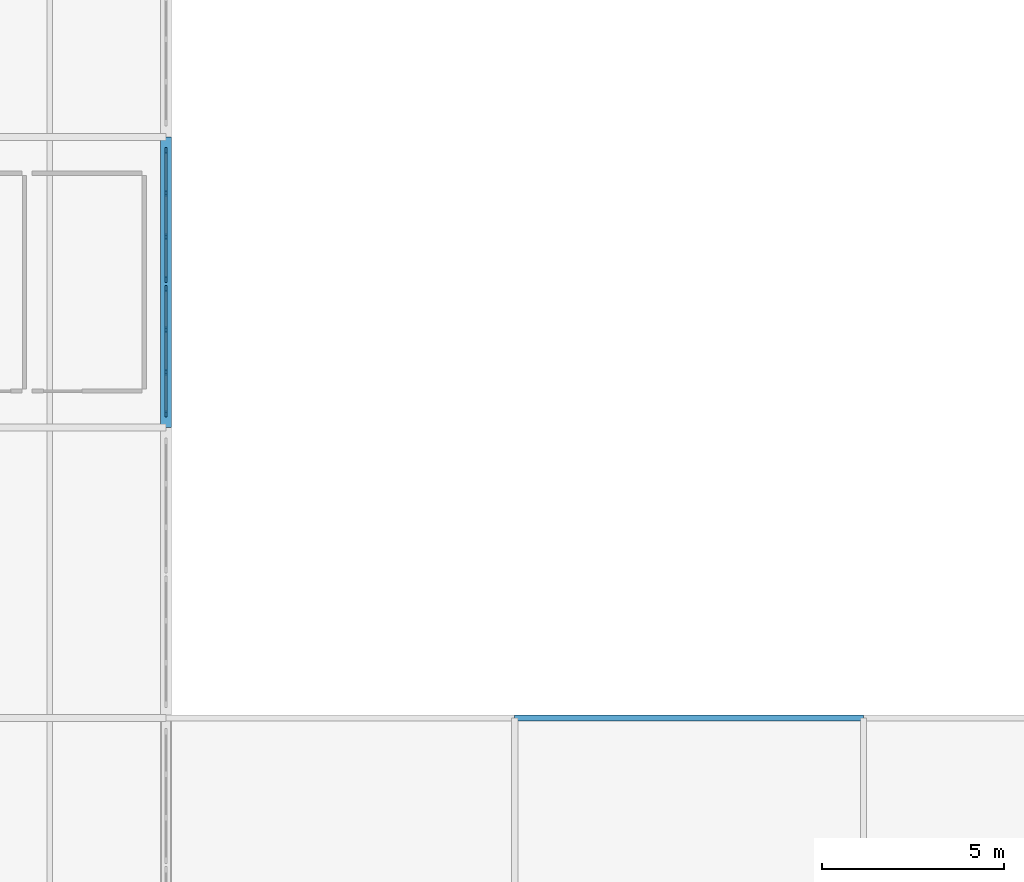
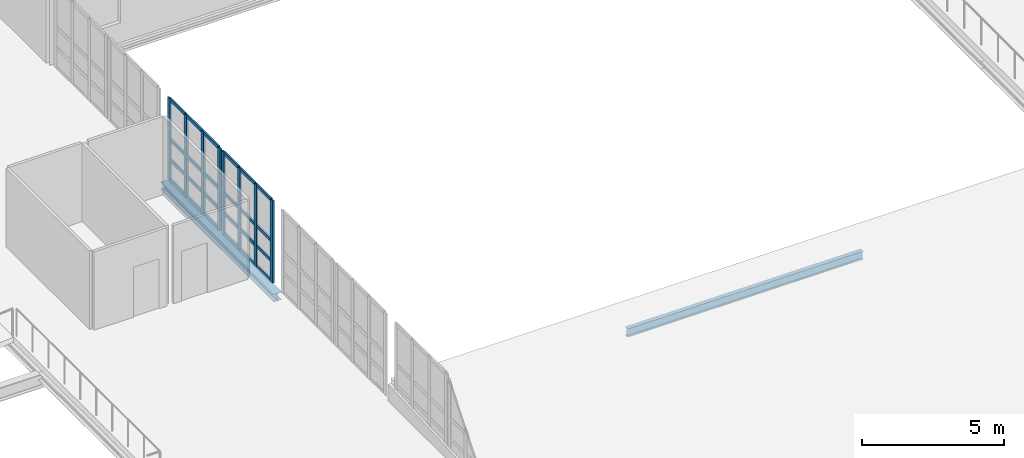
# One storey, part 31 of 73: 32 members, 2 beams, 2 elements without a shape of their own.
"""IFC4 building model written with IfcOpenShell, lengths in metres."""

import ifcopenshell
import ifcopenshell.guid

model = None  # the IFC model being written
_history = None  # IfcOwnerHistory: only IFC2X3 demands one
_inside = {}  # id of a spatial element -> (the spatial element, [elements in it])
_under = {}  # id of a project, library or spatial element -> (it, [spatial elements below it])
_declared = {}  # id of a project -> (the project, [libraries it declares])
_typed = {}  # id of a type object -> (the type object, [elements of that type])
_made_of = {}  # id of a material, layer set ... -> (it, [elements and type objects made of it])


def new_model(schema):
    """Start an empty IFC model of exactly this schema.

    Asked for "IFC4X3", IfcOpenShell would pick the latest addendum, in which some entities
    have other attributes; the version numbers below select the first issue.
    IFC2X3 requires an IfcOwnerHistory on every rooted entity: one is made here for all.
    """
    global model, _history
    if schema == "IFC4X3":
        model = ifcopenshell.file(schema_version=(4, 3, 0, 0))
    else:
        model = ifcopenshell.file(schema=schema)
    _inside.clear()
    _under.clear()
    _declared.clear()
    _typed.clear()
    _made_of.clear()
    _history = None
    if model.schema == "IFC2X3":
        org = make("IfcOrganization", Name="unknown")
        user = make(
            "IfcPersonAndOrganization",
            ThePerson=make("IfcPerson", FamilyName="unknown"),
            TheOrganization=org,
        )
        app = make(
            "IfcApplication",
            ApplicationDeveloper=org,
            Version="unknown",
            ApplicationFullName="unknown",
            ApplicationIdentifier="unknown",
        )
        _history = make(
            "IfcOwnerHistory",
            OwningUser=user,
            OwningApplication=app,
            ChangeAction="ADDED",
            CreationDate=0,
        )
    return model


def make(cls, **values):
    """One entity of the class cls with the attributes given. An attribute that is None is left unset."""
    return model.create_entity(
        cls, **{name: value for name, value in values.items() if value is not None}
    )


def rooted(cls, **values):
    """An entity with a GlobalId (a new one), such as an element, a storey or a relation."""
    return make(cls, GlobalId=ifcopenshell.guid.new(), OwnerHistory=_history, **values)


def si_unit(unit_type, name, prefix=None):
    """IfcSIUnit, for example si_unit("LENGTHUNIT", "METRE", prefix="MILLI")."""
    return make("IfcSIUnit", UnitType=unit_type, Prefix=prefix, Name=name)


def assignment(units):
    """IfcUnitAssignment: the units of a project."""
    return None if units is None else make("IfcUnitAssignment", Units=units)


def point(xyz):
    """IfcCartesianPoint."""
    return None if xyz is None else make("IfcCartesianPoint", Coordinates=xyz)


def direction(xyz):
    """IfcDirection."""
    return None if xyz is None else make("IfcDirection", DirectionRatios=xyz)


def frame(location, z_axis=None, x_axis=None):
    """IfcAxis2Placement3D, a coordinate frame: its origin and axes. An axis left out is left unset."""
    return make(
        "IfcAxis2Placement3D",
        Location=point(location),
        Axis=direction(z_axis),
        RefDirection=direction(x_axis),
    )


def frame_2d(location, x_axis=None):
    """IfcAxis2Placement2D, a coordinate frame in the plane: its origin and x axis."""
    return make(
        "IfcAxis2Placement2D", Location=point(location), RefDirection=direction(x_axis)
    )


def origin():
    """The frame at (0, 0, 0) with its axes left unset."""
    return frame((0.0, 0.0, 0.0))


def origin_2d():
    """The frame at (0, 0) in the plane with its x axis left unset."""
    return frame_2d((0.0, 0.0))


def place(relative_to, where):
    """IfcLocalPlacement: puts the frame where relative to a parent placement (None: the world)."""
    return make(
        "IfcLocalPlacement", PlacementRelTo=relative_to, RelativePlacement=where
    )


def context(
    kind, dimensions, precision=None, world=None, true_north=None, identifier=None
):
    """IfcGeometricRepresentationContext, for example the 3D "Model" context."""
    return make(
        "IfcGeometricRepresentationContext",
        ContextIdentifier=identifier,
        ContextType=kind,
        CoordinateSpaceDimension=dimensions,
        Precision=precision,
        WorldCoordinateSystem=world,
        TrueNorth=true_north,
    )


def subcontext(parent, identifier, kind, view, scale=None):
    """IfcGeometricRepresentationSubContext, for example "Body" below "Model"."""
    return make(
        "IfcGeometricRepresentationSubContext",
        ContextIdentifier=identifier,
        ContextType=kind,
        ParentContext=parent,
        TargetScale=scale,
        TargetView=view,
    )


def project(units=None, contexts=None):
    """IfcProject with its units and contexts."""
    return rooted(
        "IfcProject",
        Name="project",
        RepresentationContexts=contexts,
        UnitsInContext=assignment(units),
    )


def spatial(cls, under=None, at=None, **own):
    """A site, building, storey or space (cls), placed at a placement, below another one or the project."""
    s = rooted(cls, ObjectPlacement=at, **own)
    if under is not None:
        _under.setdefault(under.id(), (under, []))[1].append(s)
    return s


def profile(cls, at=None, kind="AREA", **sizes):
    """A parametric profile (cls). Its sizes go by their IFC names, for example OverallWidth=200.0."""
    return make(cls, ProfileType=kind, Position=at, **sizes)


def rectangle(**sizes):
    """IfcRectangleProfileDef."""
    return profile("IfcRectangleProfileDef", **sizes)


def i_section(**sizes):
    """IfcIShapeProfileDef."""
    return profile("IfcIShapeProfileDef", **sizes)


def extrude(swept, where, along, depth):
    """IfcExtrudedAreaSolid: the profile swept, set in the frame where, extruded along a direction by depth."""
    return make(
        "IfcExtrudedAreaSolid",
        SweptArea=swept,
        Position=where,
        ExtrudedDirection=direction(along),
        Depth=depth,
    )


def shape(context_of_items, identifier, shape_type, items):
    """IfcShapeRepresentation: the items that make up one representation, for example the "Body"."""
    return make(
        "IfcShapeRepresentation",
        ContextOfItems=context_of_items,
        RepresentationIdentifier=identifier,
        RepresentationType=shape_type,
        Items=items,
    )


def material(Name=None, Category=None):
    """IfcMaterial."""
    return make("IfcMaterial", Name=Name, Category=Category)


def layer(
    of_material, thickness, ventilated=None, Name=None, Category=None, Priority=None
):
    """IfcMaterialLayer: one layer of a wall or slab, of a material (None: an air gap)."""
    return make(
        "IfcMaterialLayer",
        Material=of_material,
        LayerThickness=thickness,
        IsVentilated=ventilated,
        Name=Name,
        Category=Category,
        Priority=Priority,
    )


def layer_set(layers, Name=None):
    """IfcMaterialLayerSet."""
    return make("IfcMaterialLayerSet", MaterialLayers=layers, LayerSetName=Name)


def material_profile(
    of_material, cross_section, Name=None, Category=None, Priority=None
):
    """IfcMaterialProfile: a cross section and its material."""
    return make(
        "IfcMaterialProfile",
        Name=Name,
        Material=of_material,
        Profile=cross_section,
        Priority=Priority,
        Category=Category,
    )


def profile_set(profiles, Name=None, composite=None):
    """IfcMaterialProfileSet."""
    return make(
        "IfcMaterialProfileSet",
        Name=Name,
        MaterialProfiles=profiles,
        CompositeProfile=composite,
    )


def made_of(thing, what):
    """Note that an element or type object is made of a material, layer set ...; save() writes the relation."""
    if what is not None:
        _made_of.setdefault(what.id(), (what, []))[1].append(thing)
    return thing


def type_object(cls, material=None, **own):
    """A type object (cls), such as IfcWallType, which elements share."""
    return made_of(rooted(cls, **own), material)


def element(
    cls,
    number,
    at=None,
    inside=None,
    cuts=None,
    type_object=None,
    material=None,
    context=None,
    identifier="Body",
    shape_type=None,
    held_by="IfcProductDefinitionShape",
    body=None,
    shapes=None,
    **own,
):
    """One element of the class cls, such as IfcWall. Its Tag is "e" and its number.

    at: its placement. inside: the storey or other place that contains it. cuts: it is an
    opening in that element (IfcRelVoidsElement). A single representation is given by context,
    identifier, shape_type and body (its items); several are given by shapes. held_by: the class
    of the entity that holds the representations. save() writes the other relations.
    """
    e = rooted(cls, Tag="e%d" % number, ObjectPlacement=at, **own)
    if body is not None:
        shapes = [shape(context, identifier, shape_type, body)]
    if shapes is not None:
        e.Representation = make(held_by, Representations=shapes)
    if inside is not None:
        _inside.setdefault(inside.id(), (inside, []))[1].append(e)
    if cuts is not None:
        rooted(
            "IfcRelVoidsElement", RelatingBuildingElement=cuts, RelatedOpeningElement=e
        )
    if type_object is not None:
        _typed.setdefault(type_object.id(), (type_object, []))[1].append(e)
    return made_of(e, material)


def aggregate(whole, parts):
    """IfcRelAggregates: a whole, such as a stair, and the parts it consists of."""
    return rooted("IfcRelAggregates", RelatingObject=whole, RelatedObjects=parts)


def save(model, path):
    """Write the relations noted so far, then the file.

    IfcRelAggregates (storeys below a building ...), IfcRelContainedInSpatialStructure (elements
    in a storey), IfcRelDefinesByType, IfcRelAssociatesMaterial and IfcRelDeclares: one each for
    every whole, place, type object, material and project.
    """
    for whole, parts in _under.values():
        aggregate(whole, parts)
    for where, things in _inside.values():
        rooted(
            "IfcRelContainedInSpatialStructure",
            RelatedElements=things,
            RelatingStructure=where,
        )
    for kind, things in _typed.values():
        rooted("IfcRelDefinesByType", RelatedObjects=things, RelatingType=kind)
    for what, things in _made_of.values():
        rooted("IfcRelAssociatesMaterial", RelatedObjects=things, RelatingMaterial=what)
    for by, libraries in _declared.values():
        rooted("IfcRelDeclares", RelatingContext=by, RelatedDefinitions=libraries)
    model.write(path)


model = new_model("IFC4")

# Units and contexts
model_context = context("Model", 3, precision=1e-05, world=origin(), true_north=direction((0.0, 1.0)))
body_context = subcontext(model_context, "Body", "Model", "MODEL_VIEW")
ifc_project = project(units=[si_unit("LENGTHUNIT", "METRE"), si_unit("AREAUNIT", "SQUARE_METRE"), si_unit("VOLUMEUNIT", "CUBIC_METRE"), si_unit("PLANEANGLEUNIT", "RADIAN"), si_unit("MASSUNIT", "GRAM", prefix="KILO")], contexts=[model_context])

# Site, building, storey
site_placement = place(None, origin())
site = spatial("IfcSite", under=ifc_project, at=site_placement, CompositionType="ELEMENT")
building_placement = place(site_placement, origin())
building = spatial("IfcBuilding", under=site, at=building_placement, Name="Alderhovde Museum", CompositionType="ELEMENT")
storey_placement = place(building_placement, frame((0.0, 0.0, 12.89990234375)))
storey = spatial("IfcBuildingStorey", under=building, at=storey_placement, Name="L03", CompositionType="ELEMENT", Elevation=12.89990234375)

# Beams
ifc_material_1 = material(Name="Steel S355J2", Category="steel")
ifc_material_profile_1 = material_profile(ifc_material_1, i_section(OverallWidth=0.300048828125, OverallDepth=0.330078125, WebThickness=0.009521484375, FlangeThickness=0.0166015625, FilletRadius=0.027099609375, at=origin_2d()), Name="HEA 340")
ifc_profile_set_1 = profile_set([ifc_material_profile_1], Name="Steel S355J2")
beam_type_1 = type_object("IfcBeamType", Name="BM-HEA340", PredefinedType="BEAM", material=ifc_profile_set_1)
beam_1_placement = place(storey_placement, frame((115.199951171875, 56.0, -0.4248046875), z_axis=(0.0, 1.0, 0.0), x_axis=(-1.0, 0.0, 0.0)))
element("IfcBeam", 1, at=beam_1_placement, inside=storey, type_object=beam_type_1, Name="L03 Grid Beam X=115.2 (56.0 TO 64.0)", PredefinedType="BEAM", context=body_context, shape_type="SweptSolid", body=[
    extrude(i_section(OverallWidth=0.300048828125, OverallDepth=0.330078125, WebThickness=0.009521484375, FlangeThickness=0.0166015625, FilletRadius=0.027099609375, at=origin_2d()), origin(), (0.0, 0.0, 1.0), 8.0),
])
ifc_material_2 = material(Name="Steel S355J2", Category="steel")
ifc_material_profile_2 = material_profile(ifc_material_2, i_section(OverallWidth=0.169921875, OverallDepth=0.360107421875, WebThickness=0.008056640625, FlangeThickness=0.0126953125, FilletRadius=0.01806640625, at=origin_2d()), Name="IPE 360")
ifc_profile_set_2 = profile_set([ifc_material_profile_2], Name="Steel S355J2")
beam_type_2 = type_object("IfcBeamType", Name="BM-IPE360", PredefinedType="BEAM", material=ifc_profile_set_2)
beam_2_placement = place(storey_placement, frame((124.800048828125, 48.0, -0.43994140625), z_axis=(1.0, 0.0, 0.0), x_axis=(0.0, 1.0, 0.0)))
element("IfcBeam", 2, at=beam_2_placement, inside=storey, type_object=beam_type_2, Name="L03 South Step Roof Beam Y=48", PredefinedType="BEAM", context=body_context, shape_type="SweptSolid", body=[
    extrude(i_section(OverallWidth=0.169921875, OverallDepth=0.360107421875, WebThickness=0.008056640625, FlangeThickness=0.0126953125, FilletRadius=0.01806640625, at=origin_2d()), origin(), (0.0, 0.0, 1.0), 9.599853515625),
])

# Curtain wall, members
ifc_material_3 = material(Name="Triple-Glazed Bronze-Anodised Curtain Wall", Category="glass")
ifc_layer_1 = layer(ifc_material_3, 0.179931640625)
ifc_layer_set_1 = layer_set([ifc_layer_1], Name="Triple-Glazed Bronze-Anodised Curtain Wall")
curtain_wall_type_1 = type_object("IfcCurtainWallType", Name="CW-UNIT-350x354", PredefinedType="USERDEFINED", material=ifc_layer_set_1)
curtain_wall_1_placement = place(storey_placement, origin())
curtain_wall_1 = element("IfcCurtainWall", 3, at=curtain_wall_1_placement, inside=storey, type_object=curtain_wall_type_1, Name="L03 Unitised Curtain Wall 74", ObjectType="UNITISED CURTAIN WALL", PredefinedType="USERDEFINED")
ifc_material_4 = material(Name="Bronze-Anodised Aluminium EN AW-6063-T6", Category="aluminium")
ifc_material_profile_3 = material_profile(ifc_material_4, rectangle(XDim=0.06494140625, YDim=0.179931640625, at=origin_2d()), Name="MULLION 65x180")
ifc_profile_set_3 = profile_set([ifc_material_profile_3], Name="Bronze-Anodised Aluminium EN AW-6063-T6")
member_type_1 = type_object("IfcMemberType", Name="CWM-65x180", PredefinedType="MULLION", material=ifc_profile_set_3)
member_1_placement = place(storey_placement, frame((115.199951171875, 56.382568359375, 0.0), z_axis=(0.0, 0.0, 1.0), x_axis=(-1.0, 0.0, 0.0)))
member_1 = element("IfcMember", 4, at=member_1_placement, type_object=member_type_1, Name="CW19 mullion 1", PredefinedType="MULLION", context=body_context, shape_type="SweptSolid", body=[
    extrude(rectangle(XDim=0.06494140625, YDim=0.179931640625, at=origin_2d()), origin(), (0.0, 0.0, 1.0), 3.5400390625),
])
member_2_placement = place(storey_placement, frame((115.199951171875, 57.5166015625, 0.0), z_axis=(0.0, 0.0, 1.0), x_axis=(-1.0, 0.0, 0.0)))
member_2 = element("IfcMember", 5, at=member_2_placement, type_object=member_type_1, Name="CW19 mullion 2", PredefinedType="MULLION", context=body_context, shape_type="SweptSolid", body=[
    extrude(rectangle(XDim=0.06494140625, YDim=0.179931640625, at=origin_2d()), origin(), (0.0, 0.0, 1.0), 3.5400390625),
])
member_3_placement = place(storey_placement, frame((115.199951171875, 58.683349609375, 0.0), z_axis=(0.0, 0.0, 1.0), x_axis=(-1.0, 0.0, 0.0)))
member_3 = element("IfcMember", 6, at=member_3_placement, type_object=member_type_1, Name="CW19 mullion 3", PredefinedType="MULLION", context=body_context, shape_type="SweptSolid", body=[
    extrude(rectangle(XDim=0.06494140625, YDim=0.179931640625, at=origin_2d()), origin(), (0.0, 0.0, 1.0), 3.5400390625),
])
member_4_placement = place(storey_placement, frame((115.199951171875, 59.8173828125, 0.0), z_axis=(0.0, 0.0, 1.0), x_axis=(-1.0, 0.0, 0.0)))
member_4 = element("IfcMember", 7, at=member_4_placement, type_object=member_type_1, Name="CW19 mullion 4", PredefinedType="MULLION", context=body_context, shape_type="SweptSolid", body=[
    extrude(rectangle(XDim=0.06494140625, YDim=0.179931640625, at=origin_2d()), origin(), (0.0, 0.0, 1.0), 3.5400390625),
])

ifc_material_5 = material(Name="Triple-Glazed Bronze-Anodised Curtain Wall", Category="glass")
ifc_layer_2 = layer(ifc_material_5, 0.179931640625)
ifc_layer_set_2 = layer_set([ifc_layer_2], Name="Triple-Glazed Bronze-Anodised Curtain Wall")
curtain_wall_type_2 = type_object("IfcCurtainWallType", Name="CW-UNIT-360x354", PredefinedType="USERDEFINED", material=ifc_layer_set_2)
curtain_wall_2_placement = place(storey_placement, origin())
curtain_wall_2 = element("IfcCurtainWall", 8, at=curtain_wall_2_placement, inside=storey, type_object=curtain_wall_type_2, Name="L03 Unitised Curtain Wall 75", ObjectType="UNITISED CURTAIN WALL", PredefinedType="USERDEFINED")
member_5_placement = place(storey_placement, frame((115.199951171875, 60.08251953125, 0.0), z_axis=(0.0, 0.0, 1.0), x_axis=(-1.0, 0.0, 0.0)))
member_5 = element("IfcMember", 9, at=member_5_placement, type_object=member_type_1, Name="CW20 mullion 1", PredefinedType="MULLION", context=body_context, shape_type="SweptSolid", body=[
    extrude(rectangle(XDim=0.06494140625, YDim=0.179931640625, at=origin_2d()), origin(), (0.0, 0.0, 1.0), 3.5400390625),
])
member_6_placement = place(storey_placement, frame((115.199951171875, 61.25, 0.0), z_axis=(0.0, 0.0, 1.0), x_axis=(-1.0, 0.0, 0.0)))
member_6 = element("IfcMember", 10, at=member_6_placement, type_object=member_type_1, Name="CW20 mullion 2", PredefinedType="MULLION", context=body_context, shape_type="SweptSolid", body=[
    extrude(rectangle(XDim=0.06494140625, YDim=0.179931640625, at=origin_2d()), origin(), (0.0, 0.0, 1.0), 3.5400390625),
])
member_7_placement = place(storey_placement, frame((115.199951171875, 62.449951171875, 0.0), z_axis=(0.0, 0.0, 1.0), x_axis=(-1.0, 0.0, 0.0)))
member_7 = element("IfcMember", 11, at=member_7_placement, type_object=member_type_1, Name="CW20 mullion 3", PredefinedType="MULLION", context=body_context, shape_type="SweptSolid", body=[
    extrude(rectangle(XDim=0.06494140625, YDim=0.179931640625, at=origin_2d()), origin(), (0.0, 0.0, 1.0), 3.5400390625),
])
member_8_placement = place(storey_placement, frame((115.199951171875, 63.617431640625, 0.0), z_axis=(0.0, 0.0, 1.0), x_axis=(-1.0, 0.0, 0.0)))
member_8 = element("IfcMember", 12, at=member_8_placement, type_object=member_type_1, Name="CW20 mullion 4", PredefinedType="MULLION", context=body_context, shape_type="SweptSolid", body=[
    extrude(rectangle(XDim=0.06494140625, YDim=0.179931640625, at=origin_2d()), origin(), (0.0, 0.0, 1.0), 3.5400390625),
])

# Member
ifc_material_6 = material(Name="Bronze-Anodised Aluminium EN AW-6063-T6", Category="aluminium")
ifc_material_profile_4 = material_profile(ifc_material_6, rectangle(XDim=0.06494140625, YDim=0.139892578125, at=origin_2d()), Name="TRANSOM 65x140")
ifc_profile_set_4 = profile_set([ifc_material_profile_4], Name="Bronze-Anodised Aluminium EN AW-6063-T6")
member_type_2 = type_object("IfcMemberType", Name="CWT-65x140", PredefinedType="USERDEFINED", material=ifc_profile_set_4)
member_9_placement = place(storey_placement, frame((115.199951171875, 56.4150390625, 0.03271484375), z_axis=(0.0, 1.0, 0.0), x_axis=(-1.0, 0.0, 0.0)))
member_9 = element("IfcMember", 13, at=member_9_placement, type_object=member_type_2, Name="CW19 transom 1.1", ObjectType="TRANSOM", PredefinedType="USERDEFINED", context=body_context, shape_type="SweptSolid", body=[
    extrude(rectangle(XDim=0.06494140625, YDim=0.139892578125, at=origin_2d()), origin(), (0.0, 0.0, 1.0), 1.069091796875),
])

member_10_placement = place(storey_placement, frame((115.199951171875, 56.4150390625, 0.900146484375), z_axis=(0.0, 1.0, 0.0), x_axis=(-1.0, 0.0, 0.0)))
member_10 = element("IfcMember", 14, at=member_10_placement, type_object=member_type_2, Name="CW19 transom 1.2", ObjectType="TRANSOM", PredefinedType="USERDEFINED", context=body_context, shape_type="SweptSolid", body=[
    extrude(rectangle(XDim=0.06494140625, YDim=0.139892578125, at=origin_2d()), origin(), (0.0, 0.0, 1.0), 1.069091796875),
])

member_11_placement = place(storey_placement, frame((115.199951171875, 56.4150390625, 1.77001953125), z_axis=(0.0, 1.0, 0.0), x_axis=(-1.0, 0.0, 0.0)))
member_11 = element("IfcMember", 15, at=member_11_placement, type_object=member_type_2, Name="CW19 transom 1.3", ObjectType="TRANSOM", PredefinedType="USERDEFINED", context=body_context, shape_type="SweptSolid", body=[
    extrude(rectangle(XDim=0.06494140625, YDim=0.139892578125, at=origin_2d()), origin(), (0.0, 0.0, 1.0), 1.069091796875),
])

member_12_placement = place(storey_placement, frame((115.199951171875, 56.4150390625, 3.507568359375), z_axis=(0.0, 1.0, 0.0), x_axis=(-1.0, 0.0, 0.0)))
member_12 = element("IfcMember", 16, at=member_12_placement, type_object=member_type_2, Name="CW19 transom 1.4", ObjectType="TRANSOM", PredefinedType="USERDEFINED", context=body_context, shape_type="SweptSolid", body=[
    extrude(rectangle(XDim=0.06494140625, YDim=0.139892578125, at=origin_2d()), origin(), (0.0, 0.0, 1.0), 1.069091796875),
])

member_13_placement = place(storey_placement, frame((115.199951171875, 57.549072265625, 0.03271484375), z_axis=(0.0, 1.0, 0.0), x_axis=(-1.0, 0.0, 0.0)))
member_13 = element("IfcMember", 17, at=member_13_placement, type_object=member_type_2, Name="CW19 transom 2.1", ObjectType="TRANSOM", PredefinedType="USERDEFINED", context=body_context, shape_type="SweptSolid", body=[
    extrude(rectangle(XDim=0.06494140625, YDim=0.139892578125, at=origin_2d()), origin(), (0.0, 0.0, 1.0), 1.101806640625),
])

member_14_placement = place(storey_placement, frame((115.199951171875, 57.549072265625, 0.900146484375), z_axis=(0.0, 1.0, 0.0), x_axis=(-1.0, 0.0, 0.0)))
member_14 = element("IfcMember", 18, at=member_14_placement, type_object=member_type_2, Name="CW19 transom 2.2", ObjectType="TRANSOM", PredefinedType="USERDEFINED", context=body_context, shape_type="SweptSolid", body=[
    extrude(rectangle(XDim=0.06494140625, YDim=0.139892578125, at=origin_2d()), origin(), (0.0, 0.0, 1.0), 1.101806640625),
])

member_15_placement = place(storey_placement, frame((115.199951171875, 57.549072265625, 1.77001953125), z_axis=(0.0, 1.0, 0.0), x_axis=(-1.0, 0.0, 0.0)))
member_15 = element("IfcMember", 19, at=member_15_placement, type_object=member_type_2, Name="CW19 transom 2.3", ObjectType="TRANSOM", PredefinedType="USERDEFINED", context=body_context, shape_type="SweptSolid", body=[
    extrude(rectangle(XDim=0.06494140625, YDim=0.139892578125, at=origin_2d()), origin(), (0.0, 0.0, 1.0), 1.101806640625),
])

member_16_placement = place(storey_placement, frame((115.199951171875, 57.549072265625, 3.507568359375), z_axis=(0.0, 1.0, 0.0), x_axis=(-1.0, 0.0, 0.0)))
member_16 = element("IfcMember", 20, at=member_16_placement, type_object=member_type_2, Name="CW19 transom 2.4", ObjectType="TRANSOM", PredefinedType="USERDEFINED", context=body_context, shape_type="SweptSolid", body=[
    extrude(rectangle(XDim=0.06494140625, YDim=0.139892578125, at=origin_2d()), origin(), (0.0, 0.0, 1.0), 1.101806640625),
])

member_17_placement = place(storey_placement, frame((115.199951171875, 58.7158203125, 0.03271484375), z_axis=(0.0, 1.0, 0.0), x_axis=(-1.0, 0.0, 0.0)))
member_17 = element("IfcMember", 21, at=member_17_placement, type_object=member_type_2, Name="CW19 transom 3.1", ObjectType="TRANSOM", PredefinedType="USERDEFINED", context=body_context, shape_type="SweptSolid", body=[
    extrude(rectangle(XDim=0.06494140625, YDim=0.139892578125, at=origin_2d()), origin(), (0.0, 0.0, 1.0), 1.069091796875),
])

member_18_placement = place(storey_placement, frame((115.199951171875, 58.7158203125, 0.900146484375), z_axis=(0.0, 1.0, 0.0), x_axis=(-1.0, 0.0, 0.0)))
member_18 = element("IfcMember", 22, at=member_18_placement, type_object=member_type_2, Name="CW19 transom 3.2", ObjectType="TRANSOM", PredefinedType="USERDEFINED", context=body_context, shape_type="SweptSolid", body=[
    extrude(rectangle(XDim=0.06494140625, YDim=0.139892578125, at=origin_2d()), origin(), (0.0, 0.0, 1.0), 1.069091796875),
])

member_19_placement = place(storey_placement, frame((115.199951171875, 58.7158203125, 1.77001953125), z_axis=(0.0, 1.0, 0.0), x_axis=(-1.0, 0.0, 0.0)))
member_19 = element("IfcMember", 23, at=member_19_placement, type_object=member_type_2, Name="CW19 transom 3.3", ObjectType="TRANSOM", PredefinedType="USERDEFINED", context=body_context, shape_type="SweptSolid", body=[
    extrude(rectangle(XDim=0.06494140625, YDim=0.139892578125, at=origin_2d()), origin(), (0.0, 0.0, 1.0), 1.069091796875),
])

member_20_placement = place(storey_placement, frame((115.199951171875, 58.7158203125, 3.507568359375), z_axis=(0.0, 1.0, 0.0), x_axis=(-1.0, 0.0, 0.0)))
member_20 = element("IfcMember", 24, at=member_20_placement, type_object=member_type_2, Name="CW19 transom 3.4", ObjectType="TRANSOM", PredefinedType="USERDEFINED", context=body_context, shape_type="SweptSolid", body=[
    extrude(rectangle(XDim=0.06494140625, YDim=0.139892578125, at=origin_2d()), origin(), (0.0, 0.0, 1.0), 1.069091796875),
])

aggregate(curtain_wall_1, [member_1, member_2, member_3, member_4, member_9, member_10, member_11, member_12, member_13, member_14, member_15, member_16, member_17, member_18, member_19, member_20])

member_21_placement = place(storey_placement, frame((115.199951171875, 60.114990234375, 0.03271484375), z_axis=(0.0, 1.0, 0.0), x_axis=(-1.0, 0.0, 0.0)))
member_21 = element("IfcMember", 25, at=member_21_placement, type_object=member_type_2, Name="CW20 transom 1.1", ObjectType="TRANSOM", PredefinedType="USERDEFINED", context=body_context, shape_type="SweptSolid", body=[
    extrude(rectangle(XDim=0.06494140625, YDim=0.139892578125, at=origin_2d()), origin(), (0.0, 0.0, 1.0), 1.1025390625),
])

member_22_placement = place(storey_placement, frame((115.199951171875, 60.114990234375, 0.900146484375), z_axis=(0.0, 1.0, 0.0), x_axis=(-1.0, 0.0, 0.0)))
member_22 = element("IfcMember", 26, at=member_22_placement, type_object=member_type_2, Name="CW20 transom 1.2", ObjectType="TRANSOM", PredefinedType="USERDEFINED", context=body_context, shape_type="SweptSolid", body=[
    extrude(rectangle(XDim=0.06494140625, YDim=0.139892578125, at=origin_2d()), origin(), (0.0, 0.0, 1.0), 1.1025390625),
])

member_23_placement = place(storey_placement, frame((115.199951171875, 60.114990234375, 1.77001953125), z_axis=(0.0, 1.0, 0.0), x_axis=(-1.0, 0.0, 0.0)))
member_23 = element("IfcMember", 27, at=member_23_placement, type_object=member_type_2, Name="CW20 transom 1.3", ObjectType="TRANSOM", PredefinedType="USERDEFINED", context=body_context, shape_type="SweptSolid", body=[
    extrude(rectangle(XDim=0.06494140625, YDim=0.139892578125, at=origin_2d()), origin(), (0.0, 0.0, 1.0), 1.1025390625),
])

member_24_placement = place(storey_placement, frame((115.199951171875, 60.114990234375, 3.507568359375), z_axis=(0.0, 1.0, 0.0), x_axis=(-1.0, 0.0, 0.0)))
member_24 = element("IfcMember", 28, at=member_24_placement, type_object=member_type_2, Name="CW20 transom 1.4", ObjectType="TRANSOM", PredefinedType="USERDEFINED", context=body_context, shape_type="SweptSolid", body=[
    extrude(rectangle(XDim=0.06494140625, YDim=0.139892578125, at=origin_2d()), origin(), (0.0, 0.0, 1.0), 1.1025390625),
])

member_25_placement = place(storey_placement, frame((115.199951171875, 61.282470703125, 0.03271484375), z_axis=(0.0, 1.0, 0.0), x_axis=(-1.0, 0.0, 0.0)))
member_25 = element("IfcMember", 29, at=member_25_placement, type_object=member_type_2, Name="CW20 transom 2.1", ObjectType="TRANSOM", PredefinedType="USERDEFINED", context=body_context, shape_type="SweptSolid", body=[
    extrude(rectangle(XDim=0.06494140625, YDim=0.139892578125, at=origin_2d()), origin(), (0.0, 0.0, 1.0), 1.135009765625),
])

member_26_placement = place(storey_placement, frame((115.199951171875, 61.282470703125, 0.900146484375), z_axis=(0.0, 1.0, 0.0), x_axis=(-1.0, 0.0, 0.0)))
member_26 = element("IfcMember", 30, at=member_26_placement, type_object=member_type_2, Name="CW20 transom 2.2", ObjectType="TRANSOM", PredefinedType="USERDEFINED", context=body_context, shape_type="SweptSolid", body=[
    extrude(rectangle(XDim=0.06494140625, YDim=0.139892578125, at=origin_2d()), origin(), (0.0, 0.0, 1.0), 1.135009765625),
])

member_27_placement = place(storey_placement, frame((115.199951171875, 61.282470703125, 1.77001953125), z_axis=(0.0, 1.0, 0.0), x_axis=(-1.0, 0.0, 0.0)))
member_27 = element("IfcMember", 31, at=member_27_placement, type_object=member_type_2, Name="CW20 transom 2.3", ObjectType="TRANSOM", PredefinedType="USERDEFINED", context=body_context, shape_type="SweptSolid", body=[
    extrude(rectangle(XDim=0.06494140625, YDim=0.139892578125, at=origin_2d()), origin(), (0.0, 0.0, 1.0), 1.135009765625),
])

member_28_placement = place(storey_placement, frame((115.199951171875, 61.282470703125, 3.507568359375), z_axis=(0.0, 1.0, 0.0), x_axis=(-1.0, 0.0, 0.0)))
member_28 = element("IfcMember", 32, at=member_28_placement, type_object=member_type_2, Name="CW20 transom 2.4", ObjectType="TRANSOM", PredefinedType="USERDEFINED", context=body_context, shape_type="SweptSolid", body=[
    extrude(rectangle(XDim=0.06494140625, YDim=0.139892578125, at=origin_2d()), origin(), (0.0, 0.0, 1.0), 1.135009765625),
])

member_29_placement = place(storey_placement, frame((115.199951171875, 62.482421875, 0.03271484375), z_axis=(0.0, 1.0, 0.0), x_axis=(-1.0, 0.0, 0.0)))
member_29 = element("IfcMember", 33, at=member_29_placement, type_object=member_type_2, Name="CW20 transom 3.1", ObjectType="TRANSOM", PredefinedType="USERDEFINED", context=body_context, shape_type="SweptSolid", body=[
    extrude(rectangle(XDim=0.06494140625, YDim=0.139892578125, at=origin_2d()), origin(), (0.0, 0.0, 1.0), 1.1025390625),
])

member_30_placement = place(storey_placement, frame((115.199951171875, 62.482421875, 0.900146484375), z_axis=(0.0, 1.0, 0.0), x_axis=(-1.0, 0.0, 0.0)))
member_30 = element("IfcMember", 34, at=member_30_placement, type_object=member_type_2, Name="CW20 transom 3.2", ObjectType="TRANSOM", PredefinedType="USERDEFINED", context=body_context, shape_type="SweptSolid", body=[
    extrude(rectangle(XDim=0.06494140625, YDim=0.139892578125, at=origin_2d()), origin(), (0.0, 0.0, 1.0), 1.1025390625),
])

member_31_placement = place(storey_placement, frame((115.199951171875, 62.482421875, 1.77001953125), z_axis=(0.0, 1.0, 0.0), x_axis=(-1.0, 0.0, 0.0)))
member_31 = element("IfcMember", 35, at=member_31_placement, type_object=member_type_2, Name="CW20 transom 3.3", ObjectType="TRANSOM", PredefinedType="USERDEFINED", context=body_context, shape_type="SweptSolid", body=[
    extrude(rectangle(XDim=0.06494140625, YDim=0.139892578125, at=origin_2d()), origin(), (0.0, 0.0, 1.0), 1.1025390625),
])

member_32_placement = place(storey_placement, frame((115.199951171875, 62.482421875, 3.507568359375), z_axis=(0.0, 1.0, 0.0), x_axis=(-1.0, 0.0, 0.0)))
member_32 = element("IfcMember", 36, at=member_32_placement, type_object=member_type_2, Name="CW20 transom 3.4", ObjectType="TRANSOM", PredefinedType="USERDEFINED", context=body_context, shape_type="SweptSolid", body=[
    extrude(rectangle(XDim=0.06494140625, YDim=0.139892578125, at=origin_2d()), origin(), (0.0, 0.0, 1.0), 1.1025390625),
])

aggregate(curtain_wall_2, [member_5, member_6, member_7, member_8, member_21, member_22, member_23, member_24, member_25, member_26, member_27, member_28, member_29, member_30, member_31, member_32])

save(model, "model.ifc")
